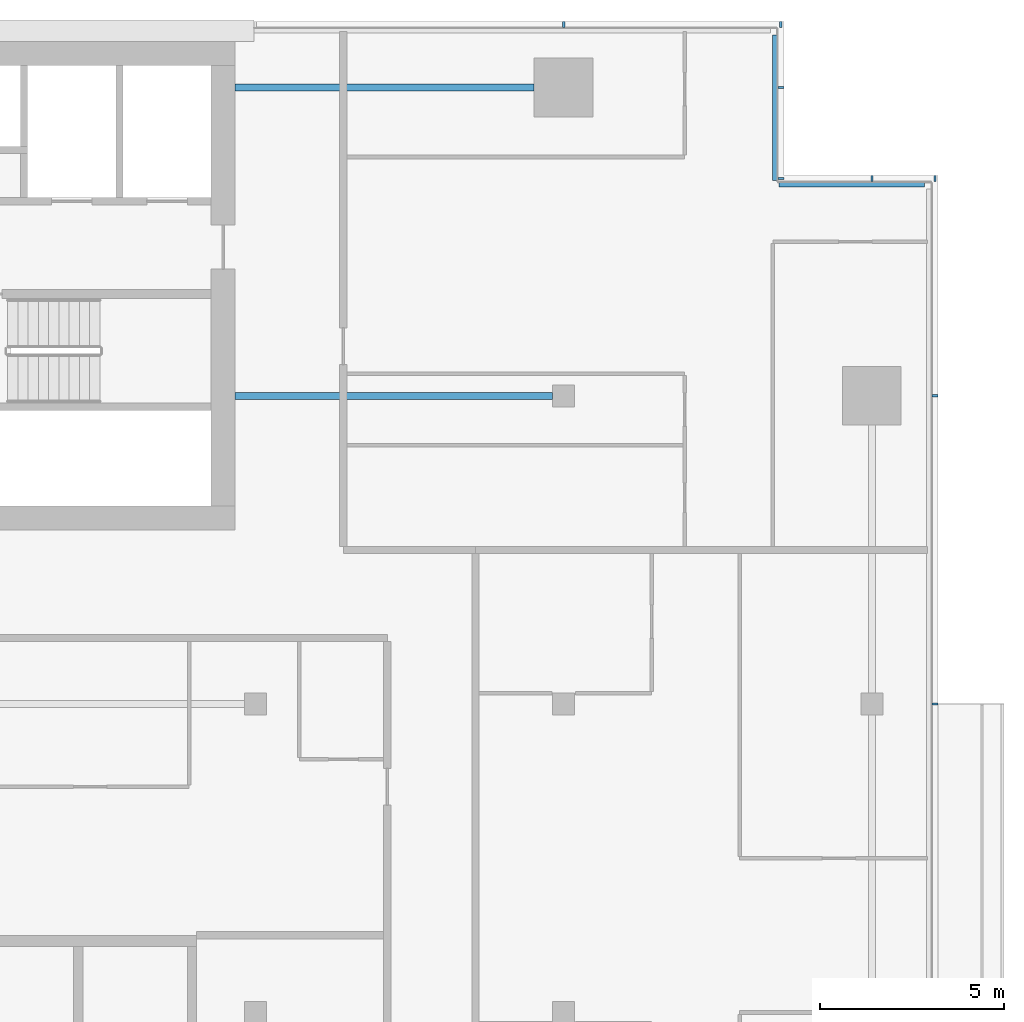
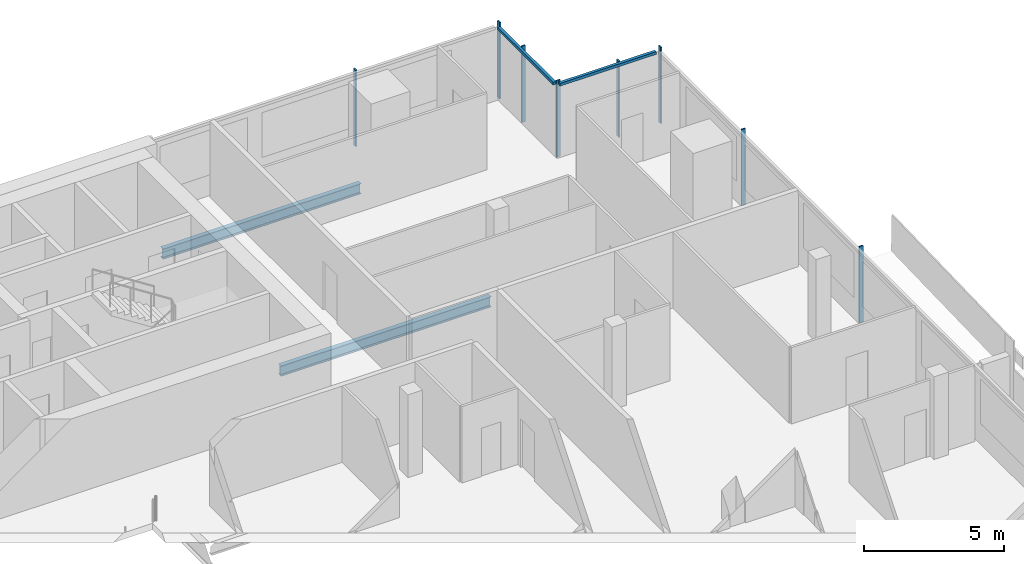
# One storey, part 13 of 28: 10 members, 2 beams, 4 elements without a shape of their own.
"""IFC4 building model written with IfcOpenShell, lengths in metres."""

from ifc_helpers import new_model, si_unit, direction, frame, origin, origin_2d, place, context, subcontext, project, spatial, rectangle, i_section, extrude, material, material_profile, profile_set, type_object, element, aggregate, save


model = new_model("IFC4")

# Units and contexts
model_context = context("Model", 3, precision=1e-05, world=origin(), true_north=direction((0.0, 1.0)))
body_context = subcontext(model_context, "Body", "Model", "MODEL_VIEW")
ifc_project = project(units=[si_unit("LENGTHUNIT", "METRE"), si_unit("AREAUNIT", "SQUARE_METRE"), si_unit("VOLUMEUNIT", "CUBIC_METRE"), si_unit("PLANEANGLEUNIT", "RADIAN"), si_unit("MASSUNIT", "GRAM", prefix="KILO")], contexts=[model_context])

# Site, building, storey
site_placement = place(None, origin())
site = spatial("IfcSite", under=ifc_project, at=site_placement, CompositionType="ELEMENT")
building_placement = place(site_placement, origin())
building = spatial("IfcBuilding", under=site, at=building_placement, Name="Saffron Gate Tower", CompositionType="ELEMENT")
storey_placement = place(building_placement, frame((0.0, 0.0, 241.5)))
storey = spatial("IfcBuildingStorey", under=building, at=storey_placement, Name="L59", CompositionType="ELEMENT", Elevation=241.5)

# Beams
ifc_material_1 = material(Name="Structural steel S355", Category="steel")
ifc_material_profile_1 = material_profile(ifc_material_1, i_section(OverallWidth=0.18994140625, OverallDepth=0.449951171875, WebThickness=0.009521484375, FlangeThickness=0.0146484375, FilletRadius=0.02099609375, at=origin_2d()))
ifc_profile_set_1 = profile_set([ifc_material_profile_1], Name="Structural steel S355")
beam_type = type_object("IfcBeamType", Name="B6 IPE 450", PredefinedType="BEAM", material=ifc_profile_set_1)
beam_1_placement = place(storey_placement, frame((116.699951171875, 65.39990234375, -0.5048828125), z_axis=(-1.0, 0.0, 0.0), x_axis=(0.0, -1.0, 0.0)))
element("IfcBeam", 1, at=beam_1_placement, inside=storey, type_object=beam_type, Name="B6 CORE TIE BEAM", PredefinedType="BEAM", context=body_context, shape_type="SweptSolid", body=[
    extrude(i_section(OverallWidth=0.18994140625, OverallDepth=0.449951171875, WebThickness=0.009521484375, FlangeThickness=0.0146484375, FilletRadius=0.02099609375, at=origin_2d()), origin(), (0.0, 0.0, 1.0), 8.64990234375),
])
beam_2_placement = place(storey_placement, frame((116.199951171875, 73.800048828125, -0.5048828125), z_axis=(-1.0, 0.0, 0.0), x_axis=(0.0, -1.0, 0.0)))
element("IfcBeam", 2, at=beam_2_placement, inside=storey, type_object=beam_type, Name="B6 CORE TIE BEAM", PredefinedType="BEAM", context=body_context, shape_type="SweptSolid", body=[
    extrude(i_section(OverallWidth=0.18994140625, OverallDepth=0.449951171875, WebThickness=0.009521484375, FlangeThickness=0.0146484375, FilletRadius=0.02099609375, at=origin_2d()), origin(), (0.0, 0.0, 1.0), 8.14990234375),
])

# Curtain wall, members
ifc_material_2 = material(Name="Aluminium, bronze anodised", Category="aluminium")
curtain_wall_type_1 = type_object("IfcCurtainWallType", Name="CWS2 curtain wall side facades", PredefinedType="NOTDEFINED", material=ifc_material_2)
curtain_wall_1_placement = place(storey_placement, origin())
curtain_wall_1 = element("IfcCurtainWall", 3, at=curtain_wall_1_placement, inside=storey, type_object=curtain_wall_type_1, Name="CWS2 run 4", PredefinedType="NOTDEFINED")
ifc_material_profile_2 = material_profile(ifc_material_2, rectangle(XDim=0.159912109375, YDim=0.06005859375, at=origin_2d()))
ifc_profile_set_2 = profile_set([ifc_material_profile_2], Name="Aluminium, bronze anodised")
member_type_1 = type_object("IfcMemberType", Name="CWS2 mullion 60x160", PredefinedType="MULLION", material=ifc_profile_set_2)
member_1_placement = place(storey_placement, frame((127.1201171875, 57.0, 0.0), z_axis=(0.0, 0.0, 1.0), x_axis=(-1.0, 0.0, 0.0)))
member_1 = element("IfcMember", 4, at=member_1_placement, type_object=member_type_1, Name="CWS2 mullion 4", PredefinedType="MULLION", context=body_context, shape_type="SweptSolid", body=[
    extrude(rectangle(XDim=0.159912109375, YDim=0.06005859375, at=origin_2d()), origin(), (0.0, 0.0, 1.0), 3.320068359375),
])
member_2_placement = place(storey_placement, frame((127.1201171875, 65.39990234375, 0.0), z_axis=(0.0, 0.0, 1.0), x_axis=(-1.0, 0.0, 0.0)))
member_2 = element("IfcMember", 5, at=member_2_placement, type_object=member_type_1, Name="CWS2 mullion 5", PredefinedType="MULLION", context=body_context, shape_type="SweptSolid", body=[
    extrude(rectangle(XDim=0.159912109375, YDim=0.06005859375, at=origin_2d()), origin(), (0.0, 0.0, 1.0), 3.320068359375),
])
aggregate(curtain_wall_1, [member_1, member_2])

curtain_wall_type_2 = type_object("IfcCurtainWallType", Name="CWS3 curtain wall rear facade", PredefinedType="NOTDEFINED", material=ifc_material_2)
curtain_wall_2_placement = place(storey_placement, origin())
curtain_wall_2 = element("IfcCurtainWall", 6, at=curtain_wall_2_placement, inside=storey, type_object=curtain_wall_type_2, Name="CWS3 run 7", PredefinedType="NOTDEFINED")
ifc_material_profile_3 = material_profile(ifc_material_2, rectangle(XDim=0.159912109375, YDim=0.070068359375, at=origin_2d()))
ifc_profile_set_3 = profile_set([ifc_material_profile_3], Name="Aluminium, bronze anodised")
member_type_2 = type_object("IfcMemberType", Name="CWS3 mullion 70x160", PredefinedType="MULLION", material=ifc_profile_set_3)
member_3_placement = place(storey_placement, frame((122.919921875, 75.52001953125, 0.0), z_axis=(0.0, 0.0, 1.0), x_axis=(0.0, -1.0, 0.0)))
member_3 = element("IfcMember", 7, at=member_3_placement, type_object=member_type_2, Name="CWS3 mullion 1", PredefinedType="MULLION", context=body_context, shape_type="SweptSolid", body=[
    extrude(rectangle(XDim=0.159912109375, YDim=0.070068359375, at=origin_2d()), origin(), (0.0, 0.0, 1.0), 3.320068359375),
])
member_4_placement = place(storey_placement, frame((117.0, 75.52001953125, 0.0), z_axis=(0.0, 0.0, 1.0), x_axis=(0.0, -1.0, 0.0)))
member_4 = element("IfcMember", 8, at=member_4_placement, type_object=member_type_2, Name="CWS3 mullion 2", PredefinedType="MULLION", context=body_context, shape_type="SweptSolid", body=[
    extrude(rectangle(XDim=0.159912109375, YDim=0.070068359375, at=origin_2d()), origin(), (0.0, 0.0, 1.0), 3.320068359375),
])
aggregate(curtain_wall_2, [member_3, member_4])

# Curtain wall, member
curtain_wall_type_3 = type_object("IfcCurtainWallType", Name="CWS4 curtain wall corner returns", PredefinedType="NOTDEFINED", material=ifc_material_2)
curtain_wall_3_placement = place(storey_placement, origin())
curtain_wall_3 = element("IfcCurtainWall", 9, at=curtain_wall_3_placement, inside=storey, type_object=curtain_wall_type_3, Name="CWS4 run 5", PredefinedType="NOTDEFINED")
ifc_material_profile_4 = material_profile(ifc_material_2, rectangle(XDim=0.1201171875, YDim=0.1201171875, at=origin_2d()))
ifc_profile_set_4 = profile_set([ifc_material_profile_4], Name="Aluminium, bronze anodised")
member_type_3 = type_object("IfcMemberType", Name="CWS4 head transom", PredefinedType="USERDEFINED", material=ifc_profile_set_4)
member_5_placement = place(storey_placement, frame((126.83203125, 71.152099609375, 3.260009765625), z_axis=(-1.0, 0.0, 0.0), x_axis=(0.0, -1.0, 0.0)))
member_5 = element("IfcMember", 10, at=member_5_placement, type_object=member_type_3, Name="CWS4 head transom", ObjectType="TRANSOM", PredefinedType="USERDEFINED", context=body_context, shape_type="SweptSolid", body=[
    extrude(rectangle(XDim=0.1201171875, YDim=0.1201171875, at=origin_2d()), origin(), (0.0, 0.0, 1.0), 3.9599609375),
])

curtain_wall_4_placement = place(storey_placement, origin())
curtain_wall_4 = element("IfcCurtainWall", 11, at=curtain_wall_4_placement, inside=storey, type_object=curtain_wall_type_3, Name="CWS4 run 6", PredefinedType="NOTDEFINED")
member_6_placement = place(storey_placement, frame((122.751953125, 71.27197265625, 3.260009765625), z_axis=(0.0, 1.0, 0.0), x_axis=(-1.0, 0.0, 0.0)))
member_6 = element("IfcMember", 12, at=member_6_placement, type_object=member_type_3, Name="CWS4 head transom", ObjectType="TRANSOM", PredefinedType="USERDEFINED", context=body_context, shape_type="SweptSolid", body=[
    extrude(rectangle(XDim=0.1201171875, YDim=0.1201171875, at=origin_2d()), origin(), (0.0, 0.0, 1.0), 3.9599609375),
])

# Member
ifc_material_profile_5 = material_profile(ifc_material_2, rectangle(XDim=0.159912109375, YDim=0.06005859375, at=origin_2d()))
ifc_profile_set_5 = profile_set([ifc_material_profile_5], Name="Aluminium, bronze anodised")
member_type_4 = type_object("IfcMemberType", Name="CWS4 mullion 60x160", PredefinedType="MULLION", material=ifc_profile_set_5)
member_7_placement = place(storey_placement, frame((127.1201171875, 71.320068359375, 0.0), z_axis=(0.0, 0.0, 1.0), x_axis=(0.0, -1.0, 0.0)))
member_7 = element("IfcMember", 13, at=member_7_placement, type_object=member_type_4, Name="CWS4 mullion 1", PredefinedType="MULLION", context=body_context, shape_type="SweptSolid", body=[
    extrude(rectangle(XDim=0.159912109375, YDim=0.06005859375, at=origin_2d()), origin(), (0.0, 0.0, 1.0), 3.320068359375),
])

member_8_placement = place(storey_placement, frame((125.39990234375, 71.320068359375, 0.0), z_axis=(0.0, 0.0, 1.0), x_axis=(0.0, -1.0, 0.0)))
member_8 = element("IfcMember", 14, at=member_8_placement, type_object=member_type_4, Name="CWS4 mullion 2", PredefinedType="MULLION", context=body_context, shape_type="SweptSolid", body=[
    extrude(rectangle(XDim=0.159912109375, YDim=0.06005859375, at=origin_2d()), origin(), (0.0, 0.0, 1.0), 3.320068359375),
])

aggregate(curtain_wall_3, [member_7, member_8, member_5])

member_9_placement = place(storey_placement, frame((122.919921875, 71.320068359375, 0.0), z_axis=(0.0, 0.0, 1.0), x_axis=(-1.0, 0.0, 0.0)))
member_9 = element("IfcMember", 15, at=member_9_placement, type_object=member_type_4, Name="CWS4 mullion 1", PredefinedType="MULLION", context=body_context, shape_type="SweptSolid", body=[
    extrude(rectangle(XDim=0.159912109375, YDim=0.06005859375, at=origin_2d()), origin(), (0.0, 0.0, 1.0), 3.320068359375),
])

member_10_placement = place(storey_placement, frame((122.919921875, 73.800048828125, 0.0), z_axis=(0.0, 0.0, 1.0), x_axis=(-1.0, 0.0, 0.0)))
member_10 = element("IfcMember", 16, at=member_10_placement, type_object=member_type_4, Name="CWS4 mullion 2", PredefinedType="MULLION", context=body_context, shape_type="SweptSolid", body=[
    extrude(rectangle(XDim=0.159912109375, YDim=0.06005859375, at=origin_2d()), origin(), (0.0, 0.0, 1.0), 3.320068359375),
])

aggregate(curtain_wall_4, [member_9, member_10, member_6])

save(model, "model.ifc")
